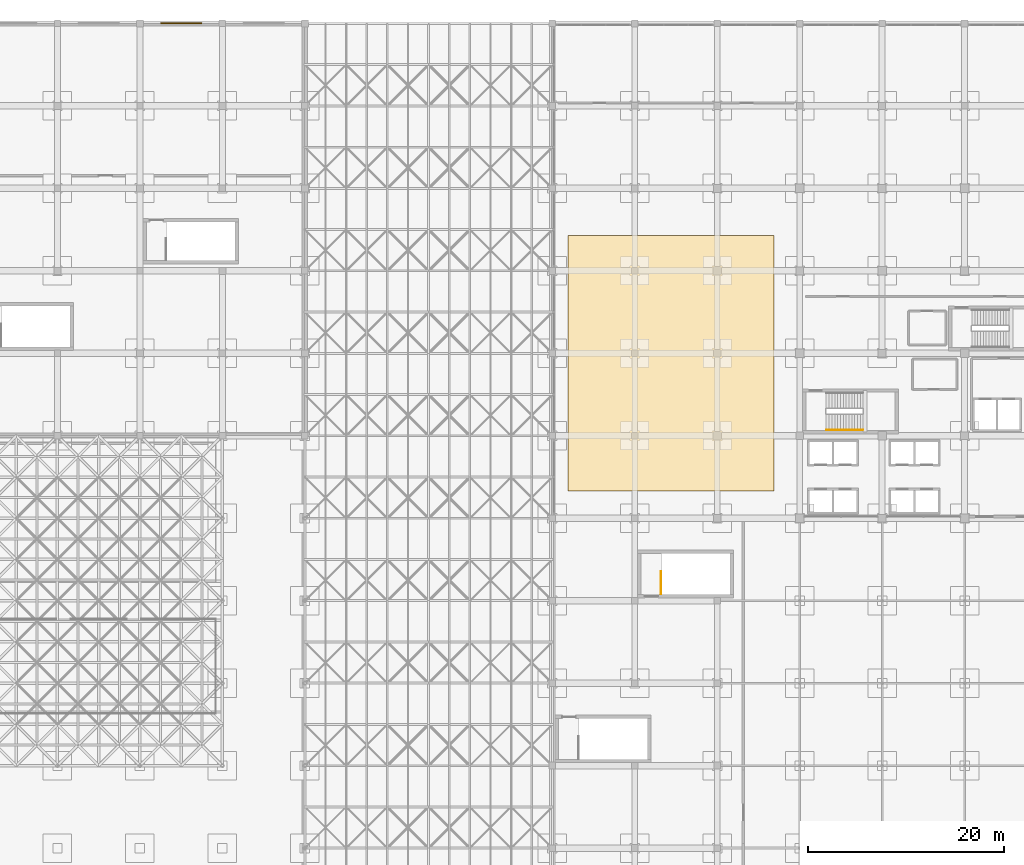
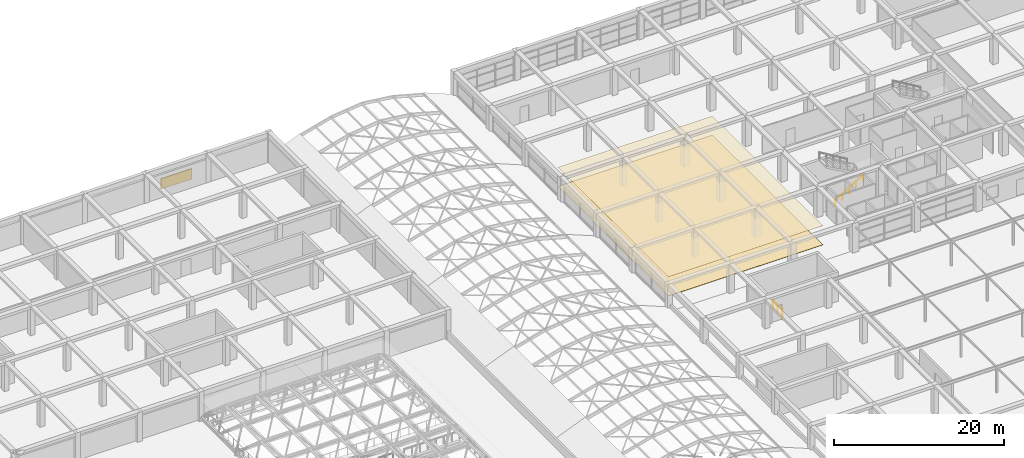
# One storey, part 82 of 85: 2 coverings, 2 railings, 1 shading device.
"""IFC4 building model written with IfcOpenShell, lengths in metres."""

import ifcopenshell
import ifcopenshell.guid

model = None  # the IFC model being written
_history = None  # IfcOwnerHistory: only IFC2X3 demands one
_inside = {}  # id of a spatial element -> (the spatial element, [elements in it])
_under = {}  # id of a project, library or spatial element -> (it, [spatial elements below it])
_declared = {}  # id of a project -> (the project, [libraries it declares])
_typed = {}  # id of a type object -> (the type object, [elements of that type])
_made_of = {}  # id of a material, layer set ... -> (it, [elements and type objects made of it])


def new_model(schema):
    """Start an empty IFC model of exactly this schema.

    Asked for "IFC4X3", IfcOpenShell would pick the latest addendum, in which some entities
    have other attributes; the version numbers below select the first issue.
    IFC2X3 requires an IfcOwnerHistory on every rooted entity: one is made here for all.
    """
    global model, _history
    if schema == "IFC4X3":
        model = ifcopenshell.file(schema_version=(4, 3, 0, 0))
    else:
        model = ifcopenshell.file(schema=schema)
    _inside.clear()
    _under.clear()
    _declared.clear()
    _typed.clear()
    _made_of.clear()
    _history = None
    if model.schema == "IFC2X3":
        org = make("IfcOrganization", Name="unknown")
        user = make(
            "IfcPersonAndOrganization",
            ThePerson=make("IfcPerson", FamilyName="unknown"),
            TheOrganization=org,
        )
        app = make(
            "IfcApplication",
            ApplicationDeveloper=org,
            Version="unknown",
            ApplicationFullName="unknown",
            ApplicationIdentifier="unknown",
        )
        _history = make(
            "IfcOwnerHistory",
            OwningUser=user,
            OwningApplication=app,
            ChangeAction="ADDED",
            CreationDate=0,
        )
    return model


def make(cls, **values):
    """One entity of the class cls with the attributes given. An attribute that is None is left unset."""
    return model.create_entity(
        cls, **{name: value for name, value in values.items() if value is not None}
    )


def rooted(cls, **values):
    """An entity with a GlobalId (a new one), such as an element, a storey or a relation."""
    return make(cls, GlobalId=ifcopenshell.guid.new(), OwnerHistory=_history, **values)


def si_unit(unit_type, name, prefix=None):
    """IfcSIUnit, for example si_unit("LENGTHUNIT", "METRE", prefix="MILLI")."""
    return make("IfcSIUnit", UnitType=unit_type, Prefix=prefix, Name=name)


def assignment(units):
    """IfcUnitAssignment: the units of a project."""
    return None if units is None else make("IfcUnitAssignment", Units=units)


def point(xyz):
    """IfcCartesianPoint."""
    return None if xyz is None else make("IfcCartesianPoint", Coordinates=xyz)


def direction(xyz):
    """IfcDirection."""
    return None if xyz is None else make("IfcDirection", DirectionRatios=xyz)


def frame(location, z_axis=None, x_axis=None):
    """IfcAxis2Placement3D, a coordinate frame: its origin and axes. An axis left out is left unset."""
    return make(
        "IfcAxis2Placement3D",
        Location=point(location),
        Axis=direction(z_axis),
        RefDirection=direction(x_axis),
    )


def frame_2d(location, x_axis=None):
    """IfcAxis2Placement2D, a coordinate frame in the plane: its origin and x axis."""
    return make(
        "IfcAxis2Placement2D", Location=point(location), RefDirection=direction(x_axis)
    )


def origin():
    """The frame at (0, 0, 0) with its axes left unset."""
    return frame((0.0, 0.0, 0.0))


def origin_2d():
    """The frame at (0, 0) in the plane with its x axis left unset."""
    return frame_2d((0.0, 0.0))


def place(relative_to, where):
    """IfcLocalPlacement: puts the frame where relative to a parent placement (None: the world)."""
    return make(
        "IfcLocalPlacement", PlacementRelTo=relative_to, RelativePlacement=where
    )


def context(
    kind, dimensions, precision=None, world=None, true_north=None, identifier=None
):
    """IfcGeometricRepresentationContext, for example the 3D "Model" context."""
    return make(
        "IfcGeometricRepresentationContext",
        ContextIdentifier=identifier,
        ContextType=kind,
        CoordinateSpaceDimension=dimensions,
        Precision=precision,
        WorldCoordinateSystem=world,
        TrueNorth=true_north,
    )


def subcontext(parent, identifier, kind, view, scale=None):
    """IfcGeometricRepresentationSubContext, for example "Body" below "Model"."""
    return make(
        "IfcGeometricRepresentationSubContext",
        ContextIdentifier=identifier,
        ContextType=kind,
        ParentContext=parent,
        TargetScale=scale,
        TargetView=view,
    )


def project(units=None, contexts=None):
    """IfcProject with its units and contexts."""
    return rooted(
        "IfcProject",
        Name="project",
        RepresentationContexts=contexts,
        UnitsInContext=assignment(units),
    )


def spatial(cls, under=None, at=None, **own):
    """A site, building, storey or space (cls), placed at a placement, below another one or the project."""
    s = rooted(cls, ObjectPlacement=at, **own)
    if under is not None:
        _under.setdefault(under.id(), (under, []))[1].append(s)
    return s


def polyline(points):
    """IfcPolyline through the points."""
    return make("IfcPolyline", Points=[point(p) for p in points])


def profile(cls, at=None, kind="AREA", **sizes):
    """A parametric profile (cls). Its sizes go by their IFC names, for example OverallWidth=200.0."""
    return make(cls, ProfileType=kind, Position=at, **sizes)


def rectangle(**sizes):
    """IfcRectangleProfileDef."""
    return profile("IfcRectangleProfileDef", **sizes)


def circle(**sizes):
    """IfcCircleProfileDef."""
    return profile("IfcCircleProfileDef", **sizes)


def outline(outer, holes=None, kind="AREA"):
    """IfcArbitraryClosedProfileDef: a profile drawn as a closed curve; with holes, ...WithVoids."""
    if holes is None:
        return make("IfcArbitraryClosedProfileDef", ProfileType=kind, OuterCurve=outer)
    return make(
        "IfcArbitraryProfileDefWithVoids",
        ProfileType=kind,
        OuterCurve=outer,
        InnerCurves=holes,
    )


def extrude(swept, where, along, depth):
    """IfcExtrudedAreaSolid: the profile swept, set in the frame where, extruded along a direction by depth."""
    return make(
        "IfcExtrudedAreaSolid",
        SweptArea=swept,
        Position=where,
        ExtrudedDirection=direction(along),
        Depth=depth,
    )


def shape(context_of_items, identifier, shape_type, items):
    """IfcShapeRepresentation: the items that make up one representation, for example the "Body"."""
    return make(
        "IfcShapeRepresentation",
        ContextOfItems=context_of_items,
        RepresentationIdentifier=identifier,
        RepresentationType=shape_type,
        Items=items,
    )


def material(Name=None, Category=None):
    """IfcMaterial."""
    return make("IfcMaterial", Name=Name, Category=Category)


def layer(
    of_material, thickness, ventilated=None, Name=None, Category=None, Priority=None
):
    """IfcMaterialLayer: one layer of a wall or slab, of a material (None: an air gap)."""
    return make(
        "IfcMaterialLayer",
        Material=of_material,
        LayerThickness=thickness,
        IsVentilated=ventilated,
        Name=Name,
        Category=Category,
        Priority=Priority,
    )


def layer_set(layers, Name=None):
    """IfcMaterialLayerSet."""
    return make("IfcMaterialLayerSet", MaterialLayers=layers, LayerSetName=Name)


def made_of(thing, what):
    """Note that an element or type object is made of a material, layer set ...; save() writes the relation."""
    if what is not None:
        _made_of.setdefault(what.id(), (what, []))[1].append(thing)
    return thing


def type_object(cls, material=None, **own):
    """A type object (cls), such as IfcWallType, which elements share."""
    return made_of(rooted(cls, **own), material)


def element(
    cls,
    number,
    at=None,
    inside=None,
    cuts=None,
    type_object=None,
    material=None,
    context=None,
    identifier="Body",
    shape_type=None,
    held_by="IfcProductDefinitionShape",
    body=None,
    shapes=None,
    **own,
):
    """One element of the class cls, such as IfcWall. Its Tag is "e" and its number.

    at: its placement. inside: the storey or other place that contains it. cuts: it is an
    opening in that element (IfcRelVoidsElement). A single representation is given by context,
    identifier, shape_type and body (its items); several are given by shapes. held_by: the class
    of the entity that holds the representations. save() writes the other relations.
    """
    e = rooted(cls, Tag="e%d" % number, ObjectPlacement=at, **own)
    if body is not None:
        shapes = [shape(context, identifier, shape_type, body)]
    if shapes is not None:
        e.Representation = make(held_by, Representations=shapes)
    if inside is not None:
        _inside.setdefault(inside.id(), (inside, []))[1].append(e)
    if cuts is not None:
        rooted(
            "IfcRelVoidsElement", RelatingBuildingElement=cuts, RelatedOpeningElement=e
        )
    if type_object is not None:
        _typed.setdefault(type_object.id(), (type_object, []))[1].append(e)
    return made_of(e, material)


def aggregate(whole, parts):
    """IfcRelAggregates: a whole, such as a stair, and the parts it consists of."""
    return rooted("IfcRelAggregates", RelatingObject=whole, RelatedObjects=parts)


def save(model, path):
    """Write the relations noted so far, then the file.

    IfcRelAggregates (storeys below a building ...), IfcRelContainedInSpatialStructure (elements
    in a storey), IfcRelDefinesByType, IfcRelAssociatesMaterial and IfcRelDeclares: one each for
    every whole, place, type object, material and project.
    """
    for whole, parts in _under.values():
        aggregate(whole, parts)
    for where, things in _inside.values():
        rooted(
            "IfcRelContainedInSpatialStructure",
            RelatedElements=things,
            RelatingStructure=where,
        )
    for kind, things in _typed.values():
        rooted("IfcRelDefinesByType", RelatedObjects=things, RelatingType=kind)
    for what, things in _made_of.values():
        rooted("IfcRelAssociatesMaterial", RelatedObjects=things, RelatingMaterial=what)
    for by, libraries in _declared.values():
        rooted("IfcRelDeclares", RelatingContext=by, RelatedDefinitions=libraries)
    model.write(path)


model = new_model("IFC4")

# Units and contexts
model_context = context("Model", 3, precision=1e-05, world=origin(), true_north=direction((0.0, 1.0)))
body_context = subcontext(model_context, "Body", "Model", "MODEL_VIEW")
ifc_project = project(units=[si_unit("LENGTHUNIT", "METRE"), si_unit("AREAUNIT", "SQUARE_METRE"), si_unit("VOLUMEUNIT", "CUBIC_METRE"), si_unit("PLANEANGLEUNIT", "RADIAN"), si_unit("MASSUNIT", "GRAM", prefix="KILO")], contexts=[model_context])

# Site, building, storey
site_placement = place(None, origin())
site = spatial("IfcSite", under=ifc_project, at=site_placement, CompositionType="ELEMENT")
building_placement = place(site_placement, origin())
building = spatial("IfcBuilding", under=site, at=building_placement, Name="Almacenes y Pasaje Nevantli", CompositionType="ELEMENT")
storey_placement = place(building_placement, frame((0.0, 0.0, 22.199951171875)))
storey = spatial("IfcBuildingStorey", under=building, at=storey_placement, Name="L05", CompositionType="ELEMENT", Elevation=22.199951171875)

# Coverings
ifc_material_1 = material(Name="Perforated Acoustic Mineral Fiber Ceiling", Category="gypsum")
ifc_layer_1 = layer(ifc_material_1, 0.02001953125)
ifc_layer_set_1 = layer_set([ifc_layer_1], Name="Perforated Acoustic Mineral Fiber Ceiling")
covering_type_1 = type_object("IfcCoveringType", Name="COV-CEIL-ACU", PredefinedType="CEILING", material=ifc_layer_set_1)
covering_1_placement = place(storey_placement, frame((0.0, 0.0, 2.75)))
element("IfcCovering", 1, at=covering_1_placement, inside=storey, type_object=covering_type_1, Name="L05 Suspended Acoustic Ceiling Panel", PredefinedType="CEILING", context=body_context, shape_type="SweptSolid", body=[
    extrude(outline(polyline([(94.0, 70.0), (115.0, 70.0), (115.0, 96.0), (94.0, 96.0), (94.0, 70.0)])), origin(), (0.0, 0.0, 1.0), 0.02001953125),
])
ifc_material_2 = material(Name="Polished Toluca Stone Terrazzo Flooring", Category="masonry")
ifc_layer_2 = layer(ifc_material_2, 0.02490234375)
ifc_layer_set_2 = layer_set([ifc_layer_2], Name="Polished Toluca Stone Terrazzo Flooring")
covering_type_2 = type_object("IfcCoveringType", Name="COV-FLR-TERRAZZO", PredefinedType="FLOORING", material=ifc_layer_set_2)
covering_2_placement = place(storey_placement, origin())
element("IfcCovering", 2, at=covering_2_placement, inside=storey, type_object=covering_type_2, Name="L05 Polished Stone Terrazzo Floor Finish", PredefinedType="FLOORING", context=body_context, shape_type="SweptSolid", body=[
    extrude(outline(polyline([(94.0, 70.0), (115.0, 70.0), (115.0, 96.0), (94.0, 96.0), (94.0, 70.0)])), origin(), (0.0, 0.0, 1.0), 0.025146484375),
])

# Railings
ifc_material_3 = material(Name="Brushed Stainless Steel and Tempered Safety Glass", Category="steel")
railing_type_1 = type_object("IfcRailingType", Name="RL-GUARD-1100", PredefinedType="BALUSTRADE", material=ifc_material_3)
railing_1_placement = place(storey_placement, frame((103.4599609375, 59.489990234375, 0.0)))
element("IfcRailing", 3, at=railing_1_placement, inside=storey, type_object=railing_type_1, Name="L05 Stair ST-13 Top Floor Well Guard", PredefinedType="BALUSTRADE", context=body_context, shape_type="SweptSolid", body=[
    extrude(circle(Radius=0.02392578125, at=origin_2d()), frame((0.0, 0.030029296875, 1.1259765625), z_axis=(0.0, 1.0, 0.0), x_axis=(-1.0, 0.0, 0.0)), (0.0, 0.0, 1.0), 2.239990234375),
    extrude(circle(Radius=0.02099609375, at=origin_2d()), origin(), (0.0, 0.0, 1.0), 1.096923828125),
    extrude(circle(Radius=0.02099609375, at=origin_2d()), frame((0.0, 1.14990234375, 0.0)), (0.0, 0.0, 1.0), 1.096923828125),
    extrude(circle(Radius=0.02099609375, at=origin_2d()), frame((0.0, 2.300048828125, 0.0)), (0.0, 0.0, 1.0), 1.096923828125),
])
ifc_material_4 = material(Name="Brushed Stainless Steel Tube", Category="steel")
railing_type_2 = type_object("IfcRailingType", Name="RL-HANDRAIL-900", PredefinedType="HANDRAIL", material=ifc_material_4)
railing_2_placement = place(storey_placement, frame((120.300048828125, 76.2099609375, 0.0)))
element("IfcRailing", 4, at=railing_2_placement, inside=storey, type_object=railing_type_2, Name="L05 Stair ST-01 Lower Flight Handrail", PredefinedType="HANDRAIL", context=body_context, shape_type="SweptSolid", body=[
    extrude(circle(Radius=0.02392578125, at=origin_2d()), frame((0.02587890625, 0.0, 0.89111328125), z_axis=(0.858697585051, 0.0, 0.512482641098), x_axis=(0.0, 1.0, 0.0)), (0.0, 0.0, 1.0), 4.330322265625),
    extrude(circle(Radius=0.02099609375, at=origin_2d()), origin(), (0.0, 0.0, 1.0), 0.846923828125),
    extrude(circle(Radius=0.02099609375, at=origin_2d()), frame((0.9423828125, 0.0, 0.5625)), (0.0, 0.0, 1.0), 0.846923828125),
    extrude(circle(Radius=0.02099609375, at=origin_2d()), frame((1.885009765625, 0.0, 1.125)), (0.0, 0.0, 1.0), 0.846923828125),
    extrude(circle(Radius=0.02099609375, at=origin_2d()), frame((2.82763671875, 0.0, 1.6875)), (0.0, 0.0, 1.0), 0.846923828125),
    extrude(circle(Radius=0.02099609375, at=origin_2d()), frame((3.77001953125, 0.0, 2.25)), (0.0, 0.0, 1.0), 0.846923828125),
])

# Shading device
ifc_material_5 = material(Name="Powder-Coated Acoustic Aluminium Louver", Category="aluminium")
ifc_layer_3 = layer(ifc_material_5, 0.1201171875)
ifc_layer_set_3 = layer_set([ifc_layer_3], Name="Powder-Coated Acoustic Aluminium Louver")
shading_device_type = type_object("IfcShadingDeviceType", Name="SHD-LOUVER-ALU", PredefinedType="JALOUSIE", material=ifc_layer_set_3)
shading_device_placement = place(storey_placement, frame((54.60009765625, 117.6201171875, 1.050048828125), z_axis=(0.0, 0.0, 1.0), x_axis=(1.0, 0.0, 0.0)))
element("IfcShadingDevice", 5, at=shading_device_placement, inside=storey, type_object=shading_device_type, Name="L05 Mechanical Plant Acoustic Louver #7", PredefinedType="JALOUSIE", context=body_context, shape_type="SweptSolid", body=[
    extrude(rectangle(XDim=4.199951171875, YDim=0.1201171875, at=origin_2d()), origin(), (0.0, 0.0, 1.0), 1.5),
])

save(model, "model.ifc")
